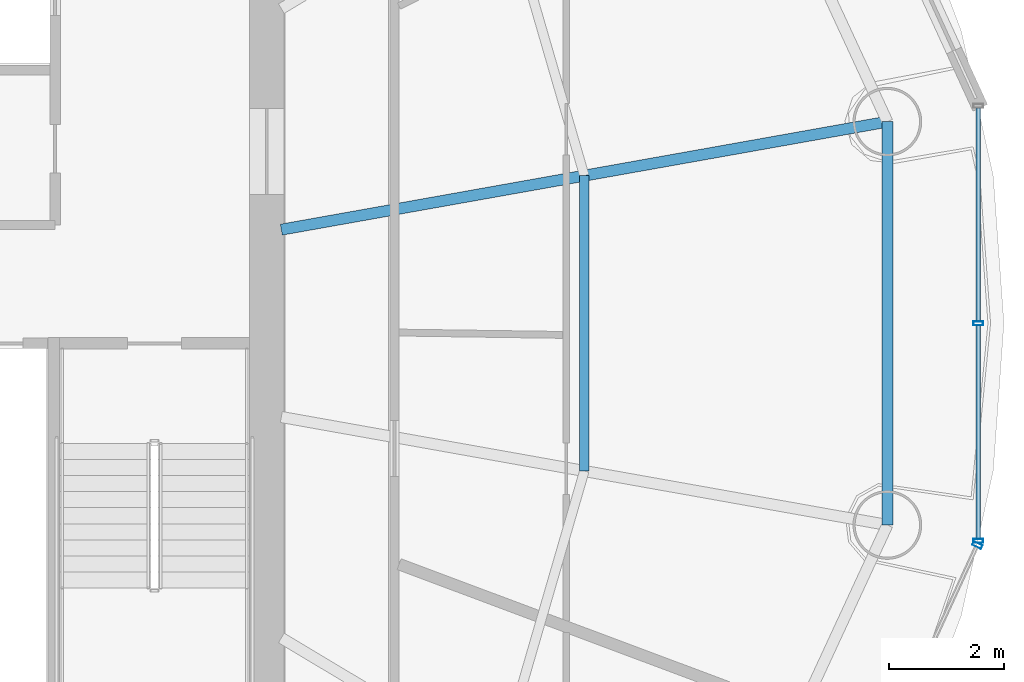
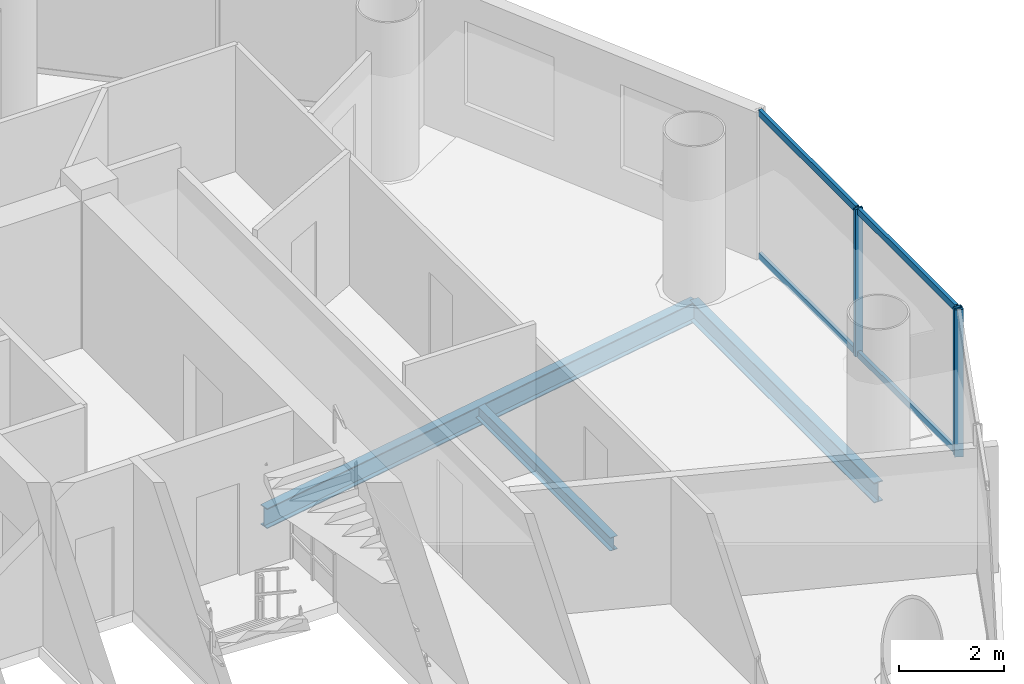
# One storey, part 12 of 26: 7 members, 3 beams, 2 elements without a shape of their own.
"""IFC4 building model written with IfcOpenShell, lengths in metres."""

from ifc_helpers import new_model, si_unit, direction, frame, origin, origin_2d, place, context, subcontext, project, spatial, hollow_rectangle, i_section, extrude, source, transform, mapped, material, material_profile, profile_set, type_object, element, aggregate, save


model = new_model("IFC4")

# Units and contexts
model_context = context("Model", 3, precision=1e-05, world=origin(), true_north=direction((-0.2419218956, 0.970295726276)))
body_context = subcontext(model_context, "Body", "Model", "MODEL_VIEW")
ifc_project = project(units=[si_unit("LENGTHUNIT", "METRE"), si_unit("AREAUNIT", "SQUARE_METRE"), si_unit("VOLUMEUNIT", "CUBIC_METRE"), si_unit("PLANEANGLEUNIT", "RADIAN"), si_unit("MASSUNIT", "GRAM", prefix="KILO")], contexts=[model_context])

# Site, building, storey
site_placement = place(None, origin())
site = spatial("IfcSite", under=ifc_project, at=site_placement, CompositionType="ELEMENT")
building_placement = place(site_placement, origin())
building = spatial("IfcBuilding", under=site, at=building_placement, Name="Cobrevalo Terracotta Tower", CompositionType="ELEMENT")
storey_placement = place(building_placement, frame((0.0, 0.0, 235.60009765625)))
storey = spatial("IfcBuildingStorey", under=building, at=storey_placement, Name="L62", CompositionType="ELEMENT", Elevation=235.60009765625)

# Beams
ifc_material_1 = material(Name="Steel S355", Category="steel")
ifc_material_profile_1 = material_profile(ifc_material_1, i_section(OverallWidth=0.194091796875, OverallDepth=0.468994140625, WebThickness=0.011474609375, FlangeThickness=0.0205078125, at=origin_2d()), Name="W 460x106")
ifc_profile_set_1 = profile_set([ifc_material_profile_1], Name="Steel S355")
beam_type_1 = type_object("IfcBeamType", Name="Structural Beam W 460x106 (Steel S355)", PredefinedType="BEAM", material=ifc_profile_set_1)
beam_1_placement = place(storey_placement, frame((57.762939453125, 30.3212890625, -0.49951171875), z_axis=(-0.98449712063, -0.175400739656, 0.0), x_axis=(0.175400739656, -0.98449712063, 0.0)))
element("IfcBeam", 1, at=beam_1_placement, inside=storey, type_object=beam_type_1, Name="L62 radial floor girder 01", PredefinedType="BEAM", context=body_context, shape_type="SweptSolid", body=[
    extrude(i_section(OverallWidth=0.194091796875, OverallDepth=0.468994140625, WebThickness=0.011474609375, FlangeThickness=0.0205078125, at=origin_2d()), origin(), (0.0, 0.0, 1.0), 10.749755859375),
])
ifc_material_profile_2 = material_profile(ifc_material_1, i_section(OverallWidth=0.1650390625, OverallDepth=0.31005859375, WebThickness=0.005859375, FlangeThickness=0.009765625, at=origin_2d()), Name="W 310x38.7")
ifc_profile_set_2 = profile_set([ifc_material_profile_2], Name="Steel S355")
beam_type_2 = type_object("IfcBeamType", Name="Structural Joist W 310x38.7 (Steel S355)", PredefinedType="JOIST", material=ifc_profile_set_2)
beam_2_placement = place(storey_placement, frame((52.471435546875, 24.221435546875, -0.420166015625), z_axis=(0.0, 1.0, 0.0), x_axis=(-1.0, 0.0, 0.0)))
element("IfcBeam", 2, at=beam_2_placement, inside=storey, type_object=beam_type_2, Name="L62 circumferential secondary floor joist 16", PredefinedType="JOIST", context=body_context, shape_type="SweptSolid", body=[
    extrude(i_section(OverallWidth=0.1650390625, OverallDepth=0.31005859375, WebThickness=0.005859375, FlangeThickness=0.009765625, at=origin_2d()), origin(), (0.0, 0.0, 1.0), 5.1572265625),
])
ifc_material_profile_3 = material_profile(ifc_material_1, i_section(OverallWidth=0.194091796875, OverallDepth=0.468994140625, WebThickness=0.011474609375, FlangeThickness=0.0205078125, at=origin_2d()), Name="W 460x106")
ifc_profile_set_3 = profile_set([ifc_material_profile_3], Name="Steel S355")
beam_type_3 = type_object("IfcBeamType", Name="Structural Spandrel W 460x106 (Steel S355)", PredefinedType="SPANDREL", material=ifc_profile_set_3)
beam_3_placement = place(storey_placement, frame((57.762939453125, 23.278564453125, -0.49951171875), z_axis=(0.0, 1.0, 0.0), x_axis=(-1.0, 0.0, 0.0)))
element("IfcBeam", 3, at=beam_3_placement, inside=storey, type_object=beam_type_3, Name="L62 perimeter ring spandrel 16", PredefinedType="SPANDREL", context=body_context, shape_type="SweptSolid", body=[
    extrude(i_section(OverallWidth=0.194091796875, OverallDepth=0.468994140625, WebThickness=0.011474609375, FlangeThickness=0.0205078125, at=origin_2d()), origin(), (0.0, 0.0, 1.0), 7.042724609375),
])

# Curtain wall, members
ifc_material_2 = material(Name="Anodized aluminium", Category="aluminium")
curtain_wall_type = type_object("IfcCurtainWallType", Name="Mid-tower high-wind unitised curtain wall CW-U2", PredefinedType="NOTDEFINED", material=ifc_material_2)
curtain_wall_1_placement = place(storey_placement, origin())
curtain_wall_1 = element("IfcCurtainWall", 4, at=curtain_wall_1_placement, inside=storey, type_object=curtain_wall_type, Name="L62 curtain wall CW-L62-S16", PredefinedType="NOTDEFINED")
ifc_material_profile_4 = material_profile(ifc_material_2, hollow_rectangle(XDim=0.074951171875, YDim=0.14990234375, WallThickness=0.00439453125, at=origin_2d()), Name="CWT 75x150")
ifc_profile_set_4 = profile_set([ifc_material_profile_4], Name="Anodized aluminium")
member_type_1 = type_object("IfcMemberType", Name="Tower unitised aluminium transom 75x150", PredefinedType="USERDEFINED", material=ifc_profile_set_4)
shared_shape_1 = source(origin(), body_context, "Body", "SweptSolid", [
    extrude(hollow_rectangle(XDim=0.074951171875, YDim=0.14990234375, WallThickness=0.00439453125, at=origin_2d()), origin(), (0.0, 0.0, 1.0), 3.71728515625),
])
member_1_placement = place(storey_placement, frame((59.351806640625, 26.840087890625, 0.0498046875), z_axis=(0.0, 1.0, 0.0), x_axis=(-1.0, 0.0, 0.0)))
member_1 = element("IfcMember", 5, at=member_1_placement, type_object=member_type_1, Name="CW-L62-S16 transom B02-T1", ObjectType="TRANSOM", PredefinedType="USERDEFINED", context=body_context, shape_type="MappedRepresentation", body=[
    mapped(shared_shape_1, transform((0.0, 0.0, 0.0), scale=1.0)),
])
member_2_placement = place(storey_placement, frame((59.351806640625, 26.840087890625, 3.385009765625), z_axis=(0.0, 1.0, 0.0), x_axis=(-1.0, 0.0, 0.0)))
member_2 = element("IfcMember", 6, at=member_2_placement, type_object=member_type_1, Name="CW-L62-S16 transom B02-T2", ObjectType="TRANSOM", PredefinedType="USERDEFINED", context=body_context, shape_type="MappedRepresentation", body=[
    mapped(shared_shape_1, transform((0.0, 0.0, 0.0), scale=1.0)),
])
shared_shape_2 = source(origin(), body_context, "Body", "SweptSolid", [
    extrude(hollow_rectangle(XDim=0.074951171875, YDim=0.14990234375, WallThickness=0.00439453125, at=origin_2d()), origin(), (0.0, 0.0, 1.0), 3.717529296875),
])
member_3_placement = place(storey_placement, frame((59.351806640625, 23.04248046875, 0.0498046875), z_axis=(0.0, 1.0, 0.0), x_axis=(-1.0, 0.0, 0.0)))
member_3 = element("IfcMember", 7, at=member_3_placement, type_object=member_type_1, Name="CW-L62-S16 transom B01-T1", ObjectType="TRANSOM", PredefinedType="USERDEFINED", context=body_context, shape_type="MappedRepresentation", body=[
    mapped(shared_shape_2, transform((0.0, 0.0, 0.0), scale=1.0)),
])
member_4_placement = place(storey_placement, frame((59.351806640625, 23.04248046875, 3.385009765625), z_axis=(0.0, 1.0, 0.0), x_axis=(-1.0, 0.0, 0.0)))
member_4 = element("IfcMember", 8, at=member_4_placement, type_object=member_type_1, Name="CW-L62-S16 transom B01-T2", ObjectType="TRANSOM", PredefinedType="USERDEFINED", context=body_context, shape_type="MappedRepresentation", body=[
    mapped(shared_shape_2, transform((0.0, 0.0, 0.0), scale=1.0)),
])

# Curtain wall, member
curtain_wall_2_placement = place(storey_placement, origin())
curtain_wall_2 = element("IfcCurtainWall", 9, at=curtain_wall_2_placement, inside=storey, type_object=curtain_wall_type, Name="L62 curtain wall CW-L62-S15", PredefinedType="NOTDEFINED")
ifc_material_profile_5 = material_profile(ifc_material_2, hollow_rectangle(XDim=0.070068359375, YDim=0.169921875, WallThickness=0.00439453125, at=origin_2d()), Name="CWM 70x170")
ifc_profile_set_5 = profile_set([ifc_material_profile_5], Name="Anodized aluminium")
member_type_2 = type_object("IfcMemberType", Name="Upper tower unitised mullion 70x170", PredefinedType="MULLION", material=ifc_profile_set_5)
shared_shape_3 = source(origin(), body_context, "Body", "SweptSolid", [
    extrude(hollow_rectangle(XDim=0.070068359375, YDim=0.169921875, WallThickness=0.00439453125, at=origin_2d()), origin(), (0.0, 0.0, 1.0), 3.434814453125),
])
member_5_placement = place(storey_placement, frame((59.3349609375, 22.92626953125, 0.0), z_axis=(0.0, 0.0, 1.0), x_axis=(0.41672507912, 0.909032567311, 0.0)))
member_5 = element("IfcMember", 10, at=member_5_placement, type_object=member_type_2, Name="CW-L62-S15 vertical mullion 03", PredefinedType="MULLION", context=body_context, shape_type="MappedRepresentation", body=[
    mapped(shared_shape_3, transform((0.0, 0.0, 0.0), scale=1.0)),
])
aggregate(curtain_wall_2, [member_5])

# Member
member_6_placement = place(storey_placement, frame((59.351806640625, 23.002685546875, 0.0), z_axis=(0.0, 0.0, 1.0), x_axis=(0.0, 1.0, 0.0)))
member_6 = element("IfcMember", 11, at=member_6_placement, type_object=member_type_2, Name="CW-L62-S16 vertical mullion 01", PredefinedType="MULLION", context=body_context, shape_type="MappedRepresentation", body=[
    mapped(shared_shape_3, transform((0.0, 0.0, 0.0), scale=1.0)),
])

member_7_placement = place(storey_placement, frame((59.351806640625, 26.800048828125, 0.0), z_axis=(0.0, 0.0, 1.0), x_axis=(0.0, 1.0, 0.0)))
member_7 = element("IfcMember", 12, at=member_7_placement, type_object=member_type_2, Name="CW-L62-S16 vertical mullion 02", PredefinedType="MULLION", context=body_context, shape_type="MappedRepresentation", body=[
    mapped(shared_shape_3, transform((0.0, 0.0, 0.0), scale=1.0)),
])

aggregate(curtain_wall_1, [member_6, member_7, member_3, member_4, member_1, member_2])

save(model, "model.ifc")
